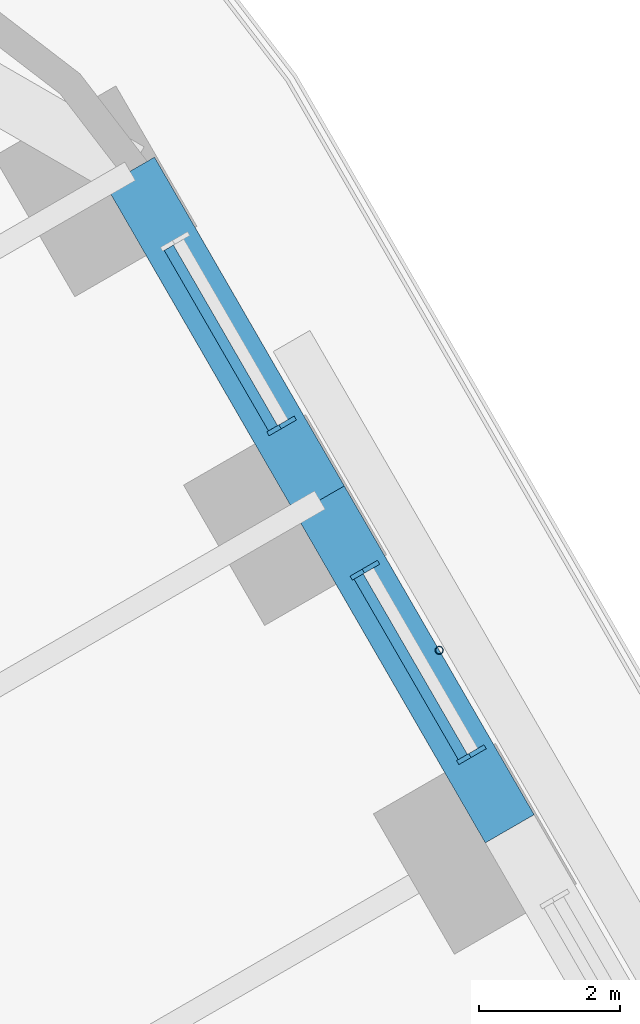
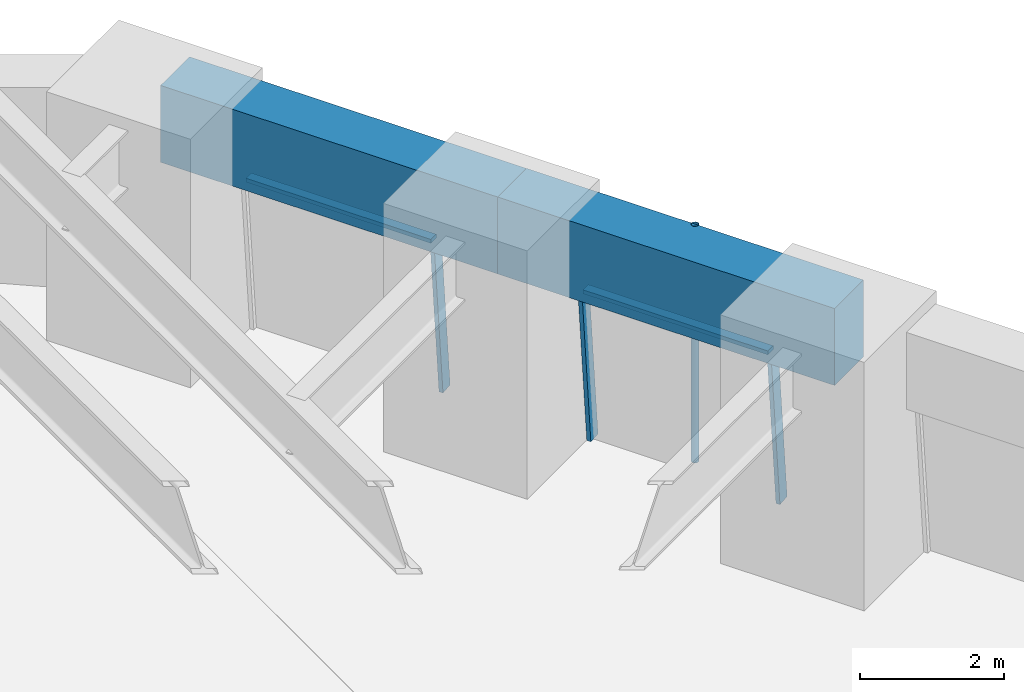
# One storey, part 11 of 23: 6 members, 2 beams, 2 elements without a shape of their own.
"""IFC4 building model written with IfcOpenShell, lengths in metres."""

from ifc_helpers import new_model, si_unit, direction, frame, origin, origin_2d, place, context, subcontext, project, spatial, rectangle, hollow_circle, extrude, material, material_profile, profile_set, type_object, element, aggregate, save


model = new_model("IFC4")

# Units and contexts
model_context = context("Model", 3, precision=1e-05, world=origin(), true_north=direction((0.0, 1.0)))
body_context = subcontext(model_context, "Body", "Model", "MODEL_VIEW")
ifc_project = project(units=[si_unit("LENGTHUNIT", "METRE"), si_unit("AREAUNIT", "SQUARE_METRE"), si_unit("VOLUMEUNIT", "CUBIC_METRE"), si_unit("PLANEANGLEUNIT", "RADIAN"), si_unit("MASSUNIT", "GRAM", prefix="KILO")], contexts=[model_context])

# Site, building, storey
site_placement = place(None, origin())
site = spatial("IfcSite", under=ifc_project, at=site_placement, CompositionType="ELEMENT")
building_placement = place(site_placement, origin())
building = spatial("IfcBuilding", under=site, at=building_placement, Name="Tarfa Lantern Tower", CompositionType="ELEMENT")
storey_placement = place(building_placement, frame((0.0, 0.0, 36.10009765625)))
storey = spatial("IfcBuildingStorey", under=building, at=storey_placement, Name="L07", CompositionType="ELEMENT", Elevation=36.10009765625)

# Curtain wall, members
ifc_material_1 = material(Name="Aluminium framed curtain wall", Category="aluminium")
curtain_wall_type = type_object("IfcCurtainWallType", Name="CW1 CANTED GLAZING LOW ZONE 2700", PredefinedType="USERDEFINED", material=ifc_material_1)
curtain_wall_1_placement = place(storey_placement, origin())
curtain_wall_1 = element("IfcCurtainWall", 1, at=curtain_wall_1_placement, inside=storey, type_object=curtain_wall_type, Name="CW1 NE L07", ObjectType="CURTAIN WALL", PredefinedType="USERDEFINED")
ifc_material_2 = material(Name="Aluminium mullion", Category="aluminium")
ifc_material_profile_1 = material_profile(ifc_material_2, rectangle(XDim=0.06494140625, YDim=0.199951171875, at=origin_2d()), Name="AL MULLION 65x200")
ifc_profile_set_1 = profile_set([ifc_material_profile_1], Name="Aluminium mullion")
member_type_1 = type_object("IfcMemberType", Name="CWM1 MULLION 65x200", PredefinedType="MULLION", material=ifc_profile_set_1)
member_1_placement = place(storey_placement, frame((26.07275390625, 22.640625, 0.0), z_axis=(-0.07986442134, -0.046099868913, 0.99573916077), x_axis=(0.499919672301, -0.866071776036, 0.0)))
member_1 = element("IfcMember", 2, at=member_1_placement, type_object=member_type_1, Name="CW1 mullion 1", PredefinedType="MULLION", context=body_context, shape_type="SweptSolid", body=[
    extrude(rectangle(XDim=0.06494140625, YDim=0.199951171875, at=origin_2d()), origin(), (0.0, 0.0, 1.0), 2.71142578125),
])
member_2_placement = place(storey_placement, frame((24.560791015625, 25.25927734375, 0.0), z_axis=(-0.079774955866, -0.04610020023, 0.995746317068), x_axis=(0.500342721131, -0.865827443207, 0.0)))
member_2 = element("IfcMember", 3, at=member_2_placement, type_object=member_type_1, Name="CW1 mullion 2", PredefinedType="MULLION", context=body_context, shape_type="SweptSolid", body=[
    extrude(rectangle(XDim=0.06494140625, YDim=0.199951171875, at=origin_2d()), origin(), (0.0, 0.0, 1.0), 2.71142578125),
])

# Curtain wall, member
curtain_wall_2_placement = place(storey_placement, origin())
curtain_wall_2 = element("IfcCurtainWall", 4, at=curtain_wall_2_placement, inside=storey, type_object=curtain_wall_type, Name="CW1 NE L07", ObjectType="CURTAIN WALL", PredefinedType="USERDEFINED")
member_3_placement = place(storey_placement, frame((23.37841796875, 27.307373046875, 0.0), z_axis=(-0.07986442134, -0.046099868913, 0.99573916077), x_axis=(0.499919672301, -0.866071776036, 0.0)))
member_3 = element("IfcMember", 5, at=member_3_placement, type_object=member_type_1, Name="CW1 mullion 1", PredefinedType="MULLION", context=body_context, shape_type="SweptSolid", body=[
    extrude(rectangle(XDim=0.06494140625, YDim=0.199951171875, at=origin_2d()), origin(), (0.0, 0.0, 1.0), 2.71142578125),
])

# Member
ifc_material_3 = material(Name="Aluminium transom", Category="aluminium")
ifc_material_profile_2 = material_profile(ifc_material_3, rectangle(XDim=0.14990234375, YDim=0.06494140625, at=origin_2d()), Name="AL TRANSOM 150x65")
ifc_profile_set_2 = profile_set([ifc_material_profile_2], Name="Aluminium transom")
member_type_2 = type_object("IfcMemberType", Name="CWT1 TRANSOM 150x65", PredefinedType="USERDEFINED", material=ifc_profile_set_2)
member_4_placement = place(storey_placement, frame((25.842529296875, 22.54541015625, 2.66748046875), z_axis=(-0.499981985492, 0.866035804215, 0.0), x_axis=(-0.866035804215, -0.499981985492, 0.0)))
member_4 = element("IfcMember", 6, at=member_4_placement, type_object=member_type_2, Name="CW1 transom 1.2", ObjectType="TRANSOM", PredefinedType="USERDEFINED", context=body_context, shape_type="SweptSolid", body=[
    extrude(rectangle(XDim=0.14990234375, YDim=0.06494140625, at=origin_2d()), origin(), (0.0, 0.0, 1.0), 2.95849609375),
])

aggregate(curtain_wall_1, [member_1, member_2, member_4])

member_5_placement = place(storey_placement, frame((23.148193359375, 27.212158203125, 2.66748046875), z_axis=(-0.500017718492, 0.866015173767, 0.0), x_axis=(-0.866015173767, -0.500017718492, 0.0)))
member_5 = element("IfcMember", 7, at=member_5_placement, type_object=member_type_2, Name="CW1 transom 1.2", ObjectType="TRANSOM", PredefinedType="USERDEFINED", context=body_context, shape_type="SweptSolid", body=[
    extrude(rectangle(XDim=0.14990234375, YDim=0.06494140625, at=origin_2d()), origin(), (0.0, 0.0, 1.0), 2.95849609375),
])

aggregate(curtain_wall_2, [member_3, member_5])

# Beams
ifc_material_4 = material(Name="Concrete C80/95", Category="concrete")
ifc_material_profile_3 = material_profile(ifc_material_4, rectangle(XDim=0.800048828125, YDim=1.300048828125, at=origin_2d()), Name="RC 800x1300")
ifc_profile_set_3 = profile_set([ifc_material_profile_3], Name="Concrete C80/95")
beam_type = type_object("IfcBeamType", Name="EB1 RC 800x1300", PredefinedType="SPANDREL", material=ifc_profile_set_3)
for number, where, z_axis, x_axis, name in (
    (8, (26.508056640625, 21.526611328125, 3.349853515625), (-0.499998287579, 0.866026392449, 0.0), (-0.866026392449, -0.499998287579, 0.0), "Edge beam NE4"),
    (9, (23.813720703125, 26.193359375, 3.349853515625), (-0.499998287579, 0.866026392449, 0.0), (-0.866026392449, -0.499998287579, 0.0), "Edge beam NE5"),
):
    element("IfcBeam", number, at=place(storey_placement, frame(where, z_axis=z_axis, x_axis=x_axis)), inside=storey, type_object=beam_type, Name=name, PredefinedType="SPANDREL", context=body_context, shape_type="SweptSolid", body=[
        extrude(rectangle(XDim=0.800048828125, YDim=1.300048828125, at=origin_2d()), origin(), (0.0, 0.0, 1.0), 5.388671875),
    ])

# Member
ifc_material_5 = material(Name="Steel S355", Category="steel")
ifc_material_profile_4 = material_profile(ifc_material_5, hollow_circle(Radius=0.05712890625, WallThickness=0.00634765625, at=origin_2d()), Name="CHS114.3x6.3")
ifc_profile_set_4 = profile_set([ifc_material_profile_4], Name="Steel S355")
member_type_3 = type_object("IfcMemberType", Name="TR1 GREEN WALL TRELLIS CHS114.3x6.3", PredefinedType="USERDEFINED", material=ifc_profile_set_4)
member_6_placement = place(storey_placement, frame((25.50732421875, 24.06005859375, 0.0), z_axis=(0.0, 0.0, 1.0), x_axis=(1.0, 0.0, 0.0)))
element("IfcMember", 10, at=member_6_placement, inside=storey, type_object=member_type_3, Name="Trellis post NE 2", ObjectType="TRELLIS", PredefinedType="USERDEFINED", context=body_context, shape_type="SweptSolid", body=[
    extrude(hollow_circle(Radius=0.05712890625, WallThickness=0.00634765625, at=origin_2d()), origin(), (0.0, 0.0, 1.0), 4.0),
])

save(model, "model.ifc")
